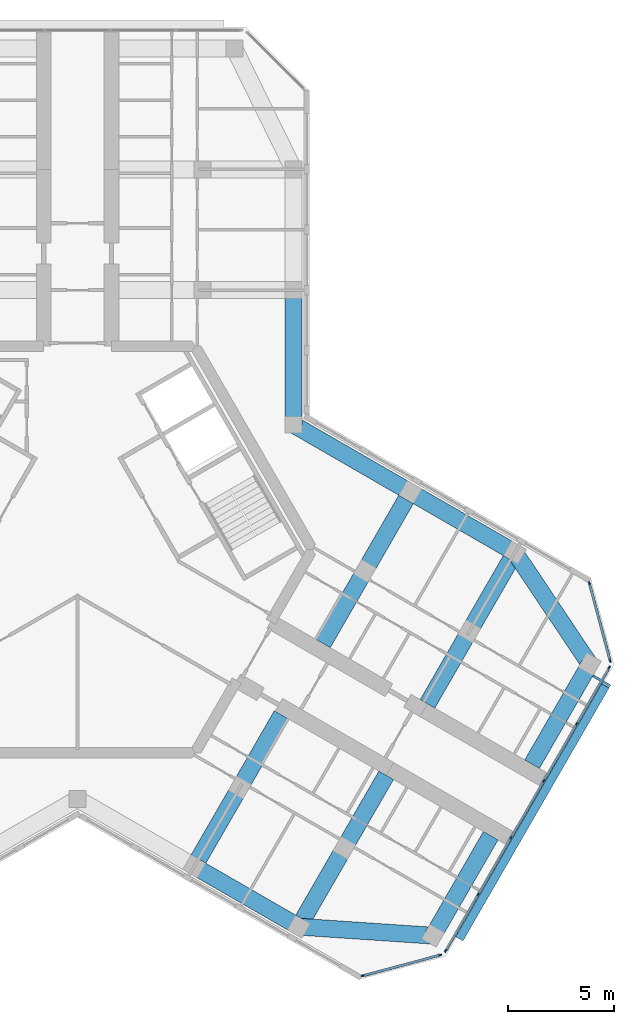
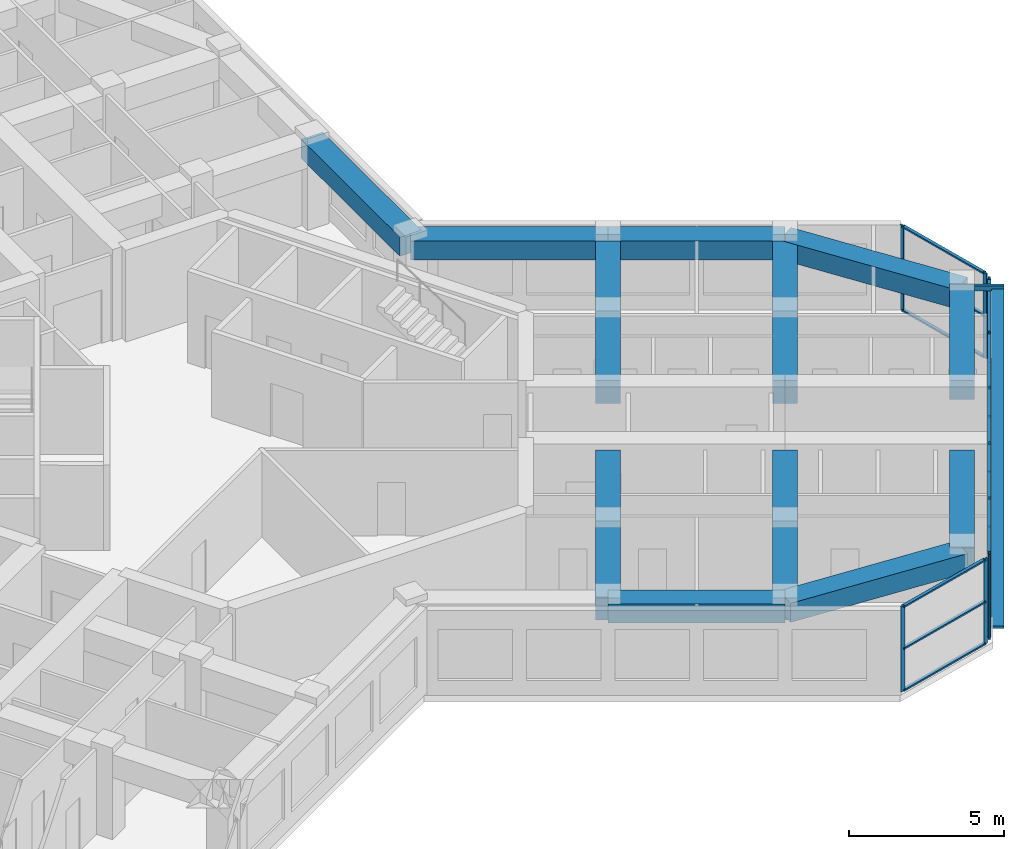
# One storey, part 4 of 14: 28 members, 12 beams, 3 elements without a shape of their own.
"""IFC4 building model written with IfcOpenShell, lengths in metres."""

from ifc_helpers import new_model, si_unit, direction, frame, origin, origin_2d, place, context, subcontext, project, spatial, rectangle, hollow_rectangle, extrude, material, material_profile, profile_set, type_object, element, aggregate, save


model = new_model("IFC4")

# Units and contexts
model_context = context("Model", 3, precision=1e-05, world=origin(), true_north=direction((0.0, 1.0)))
body_context = subcontext(model_context, "Body", "Model", "MODEL_VIEW")
ifc_project = project(units=[si_unit("LENGTHUNIT", "METRE"), si_unit("AREAUNIT", "SQUARE_METRE"), si_unit("VOLUMEUNIT", "CUBIC_METRE"), si_unit("PLANEANGLEUNIT", "RADIAN"), si_unit("MASSUNIT", "GRAM", prefix="KILO")], contexts=[model_context])

# Site, building, storey
site_placement = place(None, origin())
site = spatial("IfcSite", under=ifc_project, at=site_placement, CompositionType="ELEMENT")
building_placement = place(site_placement, origin())
building = spatial("IfcBuilding", under=site, at=building_placement, Name="Kosmar Iwan School Tower", CompositionType="ELEMENT")
storey_placement = place(building_placement, frame((0.0, 0.0, 285.39990234375)))
storey = spatial("IfcBuildingStorey", under=building, at=storey_placement, Name="L72", CompositionType="ELEMENT", Elevation=285.39990234375)

# Members
ifc_material_1 = material(Name="Black anodised aluminium", Category="aluminium")
ifc_material_profile_1 = material_profile(ifc_material_1, rectangle(XDim=0.10009765625, YDim=0.39990234375, at=origin_2d()), Name="FIN 100x400")
ifc_profile_set_1 = profile_set([ifc_material_profile_1], Name="Black anodised aluminium")
member_type_1 = type_object("IfcMemberType", Name="Diagonal fin 100x400", PredefinedType="USERDEFINED", material=ifc_profile_set_1)
member_1_placement = place(storey_placement, frame((18.0283203125, -18.3740234375, -0.14990234375), z_axis=(0.483800388566, 0.837965217343, 0.2524905514), x_axis=(-0.126245460598, -0.218663124976, 0.96759935999)))
element("IfcMember", 1, at=member_1_placement, inside=storey, type_object=member_type_1, Name="Diagonal fin L72-F03", ObjectType="FIN", PredefinedType="USERDEFINED", context=body_context, shape_type="SweptSolid", body=[
    extrude(rectangle(XDim=0.10009765625, YDim=0.39990234375, at=origin_2d()), origin(), (0.0, 0.0, 1.0), 14.25830078125),
])
ifc_material_2 = material(Name="Steel S355", Category="steel")
ifc_material_profile_2 = material_profile(ifc_material_2, hollow_rectangle(XDim=0.10009765625, YDim=0.199951171875, WallThickness=0.008056640625, at=origin_2d()), Name="RHS 200x100x8")
ifc_profile_set_2 = profile_set([ifc_material_profile_2], Name="Steel S355")
member_type_2 = type_object("IfcMemberType", Name="Fin bracket RHS 200x100", PredefinedType="USERDEFINED", material=ifc_profile_set_2)
member_2_placement = place(storey_placement, frame((24.327880859375, -5.962890625, 3.47509765625), z_axis=(0.866100000774, -0.49987077196, 0.0), x_axis=(0.49987077196, 0.866100000774, 0.0)))
element("IfcMember", 2, at=member_2_placement, inside=storey, type_object=member_type_2, Name="Fin bracket L73", ObjectType="FIN BRACKET", PredefinedType="USERDEFINED", context=body_context, shape_type="SweptSolid", body=[
    extrude(hollow_rectangle(XDim=0.10009765625, YDim=0.199951171875, WallThickness=0.008056640625, at=origin_2d()), origin(), (0.0, 0.0, 1.0), 0.949951171875),
])

# Curtain wall, members
ifc_material_3 = material(Name="Dark glass in black aluminium frame", Category="aluminium")
curtain_wall_type_1 = type_object("IfcCurtainWallType", Name="Chamfer curtain wall dark glass", PredefinedType="USERDEFINED", material=ifc_material_3)
curtain_wall_1_placement = place(storey_placement, origin())
curtain_wall_1 = element("IfcCurtainWall", 3, at=curtain_wall_1_placement, inside=storey, type_object=curtain_wall_type_1, Name="Curtain wall L72-F02", ObjectType="FACETED CURTAIN WALL", PredefinedType="USERDEFINED")
ifc_material_4 = material(Name="Black anodised aluminium", Category="aluminium")
ifc_material_profile_3 = material_profile(ifc_material_4, rectangle(XDim=0.06005859375, YDim=0.159912109375, at=origin_2d()), Name="MULLION 60x160")
ifc_profile_set_3 = profile_set([ifc_material_profile_3], Name="Black anodised aluminium")
member_type_3 = type_object("IfcMemberType", Name="Mullion 60x160", PredefinedType="MULLION", material=ifc_profile_set_3)
member_3_placement = place(storey_placement, frame((13.466064453125, -20.127197265625, 0.0), z_axis=(0.0, 0.0, 1.0), x_axis=(-0.258818861462, 0.965925875495, 0.0)))
member_3 = element("IfcMember", 4, at=member_3_placement, type_object=member_type_3, Name="CW2 mullion 1", PredefinedType="MULLION", context=body_context, shape_type="SweptSolid", body=[
    extrude(rectangle(XDim=0.06005859375, YDim=0.159912109375, at=origin_2d()), origin(), (0.0, 0.0, 1.0), 3.35009765625),
])
member_4_placement = place(storey_placement, frame((17.1162109375, -19.149169921875, 0.0), z_axis=(0.0, 0.0, 1.0), x_axis=(-0.258818861462, 0.965925875495, 0.0)))
member_4 = element("IfcMember", 5, at=member_4_placement, type_object=member_type_3, Name="CW2 mullion 2", PredefinedType="MULLION", context=body_context, shape_type="SweptSolid", body=[
    extrude(rectangle(XDim=0.06005859375, YDim=0.159912109375, at=origin_2d()), origin(), (0.0, 0.0, 1.0), 3.35009765625),
])

ifc_material_5 = material(Name="Dark glass in black aluminium frame", Category="aluminium")
curtain_wall_type_2 = type_object("IfcCurtainWallType", Name="Tower curtain wall dark glass", PredefinedType="USERDEFINED", material=ifc_material_5)
curtain_wall_2_placement = place(storey_placement, origin())
curtain_wall_2 = element("IfcCurtainWall", 6, at=curtain_wall_2_placement, inside=storey, type_object=curtain_wall_type_2, Name="Curtain wall L72-F03", ObjectType="UNITISED CURTAIN WALL", PredefinedType="USERDEFINED")
member_5_placement = place(storey_placement, frame((17.380126953125, -18.94677734375, 0.0), z_axis=(0.0, 0.0, 1.0), x_axis=(-0.866025405329, 0.499999997325, 0.0)))
member_5 = element("IfcMember", 7, at=member_5_placement, type_object=member_type_3, Name="CW1 mullion 1", PredefinedType="MULLION", context=body_context, shape_type="SweptSolid", body=[
    extrude(rectangle(XDim=0.06005859375, YDim=0.159912109375, at=origin_2d()), origin(), (0.0, 0.0, 1.0), 3.35009765625),
])
member_6_placement = place(storey_placement, frame((18.914794921875, -16.28857421875, 0.0), z_axis=(0.0, 0.0, 1.0), x_axis=(-0.866025405329, 0.499999997325, 0.0)))
member_6 = element("IfcMember", 8, at=member_6_placement, type_object=member_type_3, Name="CW1 mullion 2", PredefinedType="MULLION", context=body_context, shape_type="SweptSolid", body=[
    extrude(rectangle(XDim=0.06005859375, YDim=0.159912109375, at=origin_2d()), origin(), (0.0, 0.0, 1.0), 3.35009765625),
])
member_7_placement = place(storey_placement, frame((20.46435546875, -13.6044921875, 0.0), z_axis=(0.0, 0.0, 1.0), x_axis=(-0.866025405329, 0.499999997325, 0.0)))
member_7 = element("IfcMember", 9, at=member_7_placement, type_object=member_type_3, Name="CW1 mullion 3", PredefinedType="MULLION", context=body_context, shape_type="SweptSolid", body=[
    extrude(rectangle(XDim=0.06005859375, YDim=0.159912109375, at=origin_2d()), origin(), (0.0, 0.0, 1.0), 3.35009765625),
])
member_8_placement = place(storey_placement, frame((22.01416015625, -10.92041015625, 0.0), z_axis=(0.0, 0.0, 1.0), x_axis=(-0.866025405329, 0.499999997325, 0.0)))
member_8 = element("IfcMember", 10, at=member_8_placement, type_object=member_type_3, Name="CW1 mullion 4", PredefinedType="MULLION", context=body_context, shape_type="SweptSolid", body=[
    extrude(rectangle(XDim=0.06005859375, YDim=0.159912109375, at=origin_2d()), origin(), (0.0, 0.0, 1.0), 3.35009765625),
])
member_9_placement = place(storey_placement, frame((23.563720703125, -8.236328125, 0.0), z_axis=(0.0, 0.0, 1.0), x_axis=(-0.866025405329, 0.499999997325, 0.0)))
member_9 = element("IfcMember", 11, at=member_9_placement, type_object=member_type_3, Name="CW1 mullion 5", PredefinedType="MULLION", context=body_context, shape_type="SweptSolid", body=[
    extrude(rectangle(XDim=0.06005859375, YDim=0.159912109375, at=origin_2d()), origin(), (0.0, 0.0, 1.0), 3.35009765625),
])
member_10_placement = place(storey_placement, frame((25.098388671875, -5.578369140625, 0.0), z_axis=(0.0, 0.0, 1.0), x_axis=(-0.866025405329, 0.499999997325, 0.0)))
member_10 = element("IfcMember", 12, at=member_10_placement, type_object=member_type_3, Name="CW1 mullion 6", PredefinedType="MULLION", context=body_context, shape_type="SweptSolid", body=[
    extrude(rectangle(XDim=0.06005859375, YDim=0.159912109375, at=origin_2d()), origin(), (0.0, 0.0, 1.0), 3.35009765625),
])

curtain_wall_3_placement = place(storey_placement, origin())
curtain_wall_3 = element("IfcCurtainWall", 13, at=curtain_wall_3_placement, inside=storey, type_object=curtain_wall_type_1, Name="Curtain wall L72-F04", ObjectType="FACETED CURTAIN WALL", PredefinedType="USERDEFINED")
member_11_placement = place(storey_placement, frame((25.141845703125, -5.24853515625, 0.0), z_axis=(0.0, 0.0, 1.0), x_axis=(-0.965925875495, -0.258818861462, 0.0)))
member_11 = element("IfcMember", 14, at=member_11_placement, type_object=member_type_3, Name="CW2 mullion 1", PredefinedType="MULLION", context=body_context, shape_type="SweptSolid", body=[
    extrude(rectangle(XDim=0.06005859375, YDim=0.159912109375, at=origin_2d()), origin(), (0.0, 0.0, 1.0), 3.35009765625),
])
member_12_placement = place(storey_placement, frame((24.163818359375, -1.59814453125, 0.0), z_axis=(0.0, 0.0, 1.0), x_axis=(-0.965925875495, -0.258818861462, 0.0)))
member_12 = element("IfcMember", 15, at=member_12_placement, type_object=member_type_3, Name="CW2 mullion 2", PredefinedType="MULLION", context=body_context, shape_type="SweptSolid", body=[
    extrude(rectangle(XDim=0.06005859375, YDim=0.159912109375, at=origin_2d()), origin(), (0.0, 0.0, 1.0), 3.35009765625),
])

# Beams
ifc_material_6 = material(Name="Concrete C50/60", Category="concrete")
ifc_material_profile_4 = material_profile(ifc_material_6, rectangle(XDim=0.800048828125, YDim=0.75, at=origin_2d()), Name="RC 800x750")
ifc_profile_set_4 = profile_set([ifc_material_profile_4], Name="Concrete C50/60")
beam_type_1 = type_object("IfcBeamType", Name="RC edge beam 800x750", PredefinedType="BEAM", material=ifc_profile_set_4)
beam_1_placement = place(storey_placement, frame((10.199951171875, 5.888916015625, 2.97509765625), z_axis=(0.0, 1.0, 0.0), x_axis=(-1.0, 0.0, 0.0)))
element("IfcBeam", 16, at=beam_1_placement, inside=storey, type_object=beam_type_1, Name="Edge beam AR1", PredefinedType="BEAM", context=body_context, shape_type="SweptSolid", body=[
    extrude(rectangle(XDim=0.800048828125, YDim=0.75, at=origin_2d()), origin(), (0.0, 0.0, 1.0), 6.361083984375),
])
beam_2_placement = place(storey_placement, frame((10.199951171875, 5.888916015625, 2.97509765625), z_axis=(0.866030912664, -0.49999045822, 0.0), x_axis=(0.49999045822, 0.866030912664, 0.0)))
element("IfcBeam", 17, at=beam_2_placement, inside=storey, type_object=beam_type_1, Name="Edge beam CL1", PredefinedType="BEAM", context=body_context, shape_type="SweptSolid", body=[
    extrude(rectangle(XDim=0.800048828125, YDim=0.75, at=origin_2d()), origin(), (0.0, 0.0, 1.0), 6.36083984375),
])
beam_3_placement = place(storey_placement, frame((15.708740234375, 2.70849609375, 2.97509765625), z_axis=(0.866025820012, -0.499999279071, 0.0), x_axis=(0.499999279071, 0.866025820012, 0.0)))
element("IfcBeam", 18, at=beam_3_placement, inside=storey, type_object=beam_type_1, Name="Edge beam CL2", PredefinedType="BEAM", context=body_context, shape_type="SweptSolid", body=[
    extrude(rectangle(XDim=0.800048828125, YDim=0.75, at=origin_2d()), origin(), (0.0, 0.0, 1.0), 5.7001953125),
])
beam_4_placement = place(storey_placement, frame((5.5087890625, -14.95849609375, 2.97509765625), z_axis=(0.866033658841, -0.49998570155, 0.0), x_axis=(0.49998570155, 0.866033658841, 0.0)))
element("IfcBeam", 19, at=beam_4_placement, inside=storey, type_object=beam_type_1, Name="Edge beam CR2", PredefinedType="BEAM", context=body_context, shape_type="SweptSolid", body=[
    extrude(rectangle(XDim=0.800048828125, YDim=0.75, at=origin_2d()), origin(), (0.0, 0.0, 1.0), 5.699951171875),
])
ifc_material_7 = material(Name="Concrete C50/60", Category="concrete")
ifc_material_profile_5 = material_profile(ifc_material_7, rectangle(XDim=0.800048828125, YDim=0.75, at=origin_2d()), Name="RC 800x750")
ifc_profile_set_5 = profile_set([ifc_material_profile_5], Name="Concrete C50/60")
beam_type_2 = type_object("IfcBeamType", Name="RC tip beam 800x750", PredefinedType="BEAM", material=ifc_profile_set_5)
beam_5_placement = place(storey_placement, frame((20.645263671875, -0.1416015625, 2.97509765625), z_axis=(0.556827604145, -0.83062808721, 0.0), x_axis=(0.83062808721, 0.556827604145, 0.0)))
element("IfcBeam", 20, at=beam_5_placement, inside=storey, type_object=beam_type_2, Name="Tip beam CL", PredefinedType="BEAM", context=body_context, shape_type="SweptSolid", body=[
    extrude(rectangle(XDim=0.800048828125, YDim=0.75, at=origin_2d()), origin(), (0.0, 0.0, 1.0), 6.3505859375),
])
beam_6_placement = place(storey_placement, frame((24.181396484375, -5.41650390625, 2.97509765625), z_axis=(-0.499988730927, -0.866031909889, 0.0), x_axis=(0.866031909889, -0.499988730927, 0.0)))
element("IfcBeam", 21, at=beam_6_placement, inside=storey, type_object=beam_type_2, Name="Tip beam CL to corridor wall", PredefinedType="BEAM", context=body_context, shape_type="SweptSolid", body=[
    extrude(rectangle(XDim=0.800048828125, YDim=0.75, at=origin_2d()), origin(), (0.0, 0.0, 1.0), 5.449951171875),
])
beam_7_placement = place(storey_placement, frame((10.445068359375, -17.808349609375, 2.97509765625), z_axis=(0.997755118724, -0.066968074933, 0.0), x_axis=(0.066968074933, 0.997755118724, 0.0)))
element("IfcBeam", 22, at=beam_7_placement, inside=storey, type_object=beam_type_2, Name="Tip beam CR", PredefinedType="BEAM", context=body_context, shape_type="SweptSolid", body=[
    extrude(rectangle(XDim=0.800048828125, YDim=0.75, at=origin_2d()), origin(), (0.0, 0.0, 1.0), 6.3505859375),
])
beam_8_placement = place(storey_placement, frame((16.781494140625, -18.233642578125, 2.97509765625), z_axis=(0.500002931134, 0.866023711487, 0.0), x_axis=(-0.866023711487, 0.500002931134, 0.0)))
element("IfcBeam", 23, at=beam_8_placement, inside=storey, type_object=beam_type_2, Name="Tip beam CR to corridor wall", PredefinedType="BEAM", context=body_context, shape_type="SweptSolid", body=[
    extrude(rectangle(XDim=0.800048828125, YDim=0.75, at=origin_2d()), origin(), (0.0, 0.0, 1.0), 5.4501953125),
])
ifc_material_8 = material(Name="Concrete C50/60", Category="concrete")
ifc_material_profile_6 = material_profile(ifc_material_8, rectangle(XDim=0.800048828125, YDim=0.89990234375, at=origin_2d()), Name="RC 800x900")
ifc_profile_set_6 = profile_set([ifc_material_profile_6], Name="Concrete C50/60")
beam_type_3 = type_object("IfcBeamType", Name="RC transverse beam 800x900", PredefinedType="BEAM", material=ifc_profile_set_6)
beam_9_placement = place(storey_placement, frame((15.708740234375, 2.70849609375, 2.900146484375), z_axis=(-0.499996545922, -0.866027397988, 0.0), x_axis=(0.866027397988, -0.499996545922, 0.0)))
element("IfcBeam", 24, at=beam_9_placement, inside=storey, type_object=beam_type_3, Name="Transverse beam CL1", PredefinedType="BEAM", context=body_context, shape_type="SweptSolid", body=[
    extrude(rectangle(XDim=0.800048828125, YDim=0.89990234375, at=origin_2d()), origin(), (0.0, 0.0, 1.0), 8.25),
])
beam_10_placement = place(storey_placement, frame((20.645263671875, -0.1416015625, 2.900146484375), z_axis=(-0.500009360108, -0.866019999656, 0.0), x_axis=(0.866019999656, -0.500009360108, 0.0)))
element("IfcBeam", 25, at=beam_10_placement, inside=storey, type_object=beam_type_3, Name="Transverse beam CL2", PredefinedType="BEAM", context=body_context, shape_type="SweptSolid", body=[
    extrude(rectangle(XDim=0.800048828125, YDim=0.89990234375, at=origin_2d()), origin(), (0.0, 0.0, 1.0), 8.249755859375),
])
beam_11_placement = place(storey_placement, frame((5.5087890625, -14.95849609375, 2.900146484375), z_axis=(0.499996545922, 0.866027397988, 0.0), x_axis=(-0.866027397988, 0.499996545922, 0.0)))
element("IfcBeam", 26, at=beam_11_placement, inside=storey, type_object=beam_type_3, Name="Transverse beam CR1", PredefinedType="BEAM", context=body_context, shape_type="SweptSolid", body=[
    extrude(rectangle(XDim=0.800048828125, YDim=0.89990234375, at=origin_2d()), origin(), (0.0, 0.0, 1.0), 8.25),
])
beam_12_placement = place(storey_placement, frame((10.445068359375, -17.808349609375, 2.900146484375), z_axis=(0.500009360108, 0.866019999656, 0.0), x_axis=(-0.866019999656, 0.500009360108, 0.0)))
element("IfcBeam", 27, at=beam_12_placement, inside=storey, type_object=beam_type_3, Name="Transverse beam CR2", PredefinedType="BEAM", context=body_context, shape_type="SweptSolid", body=[
    extrude(rectangle(XDim=0.800048828125, YDim=0.89990234375, at=origin_2d()), origin(), (0.0, 0.0, 1.0), 8.249755859375),
])

# Member
ifc_material_9 = material(Name="Black anodised aluminium", Category="aluminium")
ifc_material_profile_7 = material_profile(ifc_material_9, rectangle(XDim=0.1201171875, YDim=0.06005859375, at=origin_2d()), Name="TRANSOM 60x120")
ifc_profile_set_7 = profile_set([ifc_material_profile_7], Name="Black anodised aluminium")
member_type_4 = type_object("IfcMemberType", Name="Transom 60x120", PredefinedType="USERDEFINED", material=ifc_profile_set_7)
member_13_placement = place(storey_placement, frame((13.494873046875, -20.119384765625, 0.030029296875), z_axis=(0.965940141052, 0.258765615768, 0.0), x_axis=(-0.258765615768, 0.965940141052, 0.0)))
member_13 = element("IfcMember", 28, at=member_13_placement, type_object=member_type_4, Name="CW2 transom 1.1", ObjectType="TRANSOM", PredefinedType="USERDEFINED", context=body_context, shape_type="SweptSolid", body=[
    extrude(rectangle(XDim=0.1201171875, YDim=0.06005859375, at=origin_2d()), origin(), (0.0, 0.0, 1.0), 3.71923828125),
])

member_14_placement = place(storey_placement, frame((13.494873046875, -20.119384765625, 1.675048828125), z_axis=(0.965940141052, 0.258765615768, 0.0), x_axis=(-0.258765615768, 0.965940141052, 0.0)))
member_14 = element("IfcMember", 29, at=member_14_placement, type_object=member_type_4, Name="CW2 transom 1.2", ObjectType="TRANSOM", PredefinedType="USERDEFINED", context=body_context, shape_type="SweptSolid", body=[
    extrude(rectangle(XDim=0.1201171875, YDim=0.06005859375, at=origin_2d()), origin(), (0.0, 0.0, 1.0), 3.71923828125),
])

member_15_placement = place(storey_placement, frame((13.494873046875, -20.119384765625, 3.320068359375), z_axis=(0.965940141052, 0.258765615768, 0.0), x_axis=(-0.258765615768, 0.965940141052, 0.0)))
member_15 = element("IfcMember", 30, at=member_15_placement, type_object=member_type_4, Name="CW2 transom 1.3", ObjectType="TRANSOM", PredefinedType="USERDEFINED", context=body_context, shape_type="SweptSolid", body=[
    extrude(rectangle(XDim=0.1201171875, YDim=0.06005859375, at=origin_2d()), origin(), (0.0, 0.0, 1.0), 3.71923828125),
])

aggregate(curtain_wall_1, [member_3, member_4, member_13, member_14, member_15])

member_16_placement = place(storey_placement, frame((17.395263671875, -18.920654296875, 0.030029296875), z_axis=(0.500022102064, 0.866012642776, 0.0), x_axis=(-0.866012642776, 0.500022102064, 0.0)))
member_16 = element("IfcMember", 31, at=member_16_placement, type_object=member_type_4, Name="CW1 transom 1.1", ObjectType="TRANSOM", PredefinedType="USERDEFINED", context=body_context, shape_type="SweptSolid", body=[
    extrude(rectangle(XDim=0.1201171875, YDim=0.06005859375, at=origin_2d()), origin(), (0.0, 0.0, 1.0), 3.009033203125),
])

member_17_placement = place(storey_placement, frame((17.395263671875, -18.920654296875, 3.320068359375), z_axis=(0.500022102064, 0.866012642776, 0.0), x_axis=(-0.866012642776, 0.500022102064, 0.0)))
member_17 = element("IfcMember", 32, at=member_17_placement, type_object=member_type_4, Name="CW1 transom 1.2", ObjectType="TRANSOM", PredefinedType="USERDEFINED", context=body_context, shape_type="SweptSolid", body=[
    extrude(rectangle(XDim=0.1201171875, YDim=0.06005859375, at=origin_2d()), origin(), (0.0, 0.0, 1.0), 3.009033203125),
])

member_18_placement = place(storey_placement, frame((18.9296875, -16.2626953125, 0.030029296875), z_axis=(0.500035348339, 0.866004994449, 0.0), x_axis=(-0.866004994449, 0.500035348339, 0.0)))
member_18 = element("IfcMember", 33, at=member_18_placement, type_object=member_type_4, Name="CW1 transom 2.1", ObjectType="TRANSOM", PredefinedType="USERDEFINED", context=body_context, shape_type="SweptSolid", body=[
    extrude(rectangle(XDim=0.1201171875, YDim=0.06005859375, at=origin_2d()), origin(), (0.0, 0.0, 1.0), 3.039306640625),
])

member_19_placement = place(storey_placement, frame((18.9296875, -16.2626953125, 3.320068359375), z_axis=(0.500035348339, 0.866004994449, 0.0), x_axis=(-0.866004994449, 0.500035348339, 0.0)))
member_19 = element("IfcMember", 34, at=member_19_placement, type_object=member_type_4, Name="CW1 transom 2.2", ObjectType="TRANSOM", PredefinedType="USERDEFINED", context=body_context, shape_type="SweptSolid", body=[
    extrude(rectangle(XDim=0.1201171875, YDim=0.06005859375, at=origin_2d()), origin(), (0.0, 0.0, 1.0), 3.039306640625),
])

member_20_placement = place(storey_placement, frame((20.4794921875, -13.57861328125, 0.030029296875), z_axis=(0.499975102327, 0.866039777986, 0.0), x_axis=(-0.866039777986, 0.499975102327, 0.0)))
member_20 = element("IfcMember", 35, at=member_20_placement, type_object=member_type_4, Name="CW1 transom 3.1", ObjectType="TRANSOM", PredefinedType="USERDEFINED", context=body_context, shape_type="SweptSolid", body=[
    extrude(rectangle(XDim=0.1201171875, YDim=0.06005859375, at=origin_2d()), origin(), (0.0, 0.0, 1.0), 3.039306640625),
])

member_21_placement = place(storey_placement, frame((20.4794921875, -13.57861328125, 3.320068359375), z_axis=(0.499975102327, 0.866039777986, 0.0), x_axis=(-0.866039777986, 0.499975102327, 0.0)))
member_21 = element("IfcMember", 36, at=member_21_placement, type_object=member_type_4, Name="CW1 transom 3.2", ObjectType="TRANSOM", PredefinedType="USERDEFINED", context=body_context, shape_type="SweptSolid", body=[
    extrude(rectangle(XDim=0.1201171875, YDim=0.06005859375, at=origin_2d()), origin(), (0.0, 0.0, 1.0), 3.039306640625),
])

member_22_placement = place(storey_placement, frame((22.029052734375, -10.89453125, 0.030029296875), z_axis=(0.500035348339, 0.866004994449, 0.0), x_axis=(-0.866004994449, 0.500035348339, 0.0)))
member_22 = element("IfcMember", 37, at=member_22_placement, type_object=member_type_4, Name="CW1 transom 4.1", ObjectType="TRANSOM", PredefinedType="USERDEFINED", context=body_context, shape_type="SweptSolid", body=[
    extrude(rectangle(XDim=0.1201171875, YDim=0.06005859375, at=origin_2d()), origin(), (0.0, 0.0, 1.0), 3.039306640625),
])

member_23_placement = place(storey_placement, frame((22.029052734375, -10.89453125, 3.320068359375), z_axis=(0.500035348339, 0.866004994449, 0.0), x_axis=(-0.866004994449, 0.500035348339, 0.0)))
member_23 = element("IfcMember", 38, at=member_23_placement, type_object=member_type_4, Name="CW1 transom 4.2", ObjectType="TRANSOM", PredefinedType="USERDEFINED", context=body_context, shape_type="SweptSolid", body=[
    extrude(rectangle(XDim=0.1201171875, YDim=0.06005859375, at=origin_2d()), origin(), (0.0, 0.0, 1.0), 3.039306640625),
])

member_24_placement = place(storey_placement, frame((23.578857421875, -8.21044921875, 0.030029296875), z_axis=(0.499986971506, 0.866032925658, 0.0), x_axis=(-0.866032925658, 0.499986971506, 0.0)))
member_24 = element("IfcMember", 39, at=member_24_placement, type_object=member_type_4, Name="CW1 transom 5.1", ObjectType="TRANSOM", PredefinedType="USERDEFINED", context=body_context, shape_type="SweptSolid", body=[
    extrude(rectangle(XDim=0.1201171875, YDim=0.06005859375, at=origin_2d()), origin(), (0.0, 0.0, 1.0), 3.00927734375),
])

member_25_placement = place(storey_placement, frame((23.578857421875, -8.21044921875, 3.320068359375), z_axis=(0.499986971506, 0.866032925658, 0.0), x_axis=(-0.866032925658, 0.499986971506, 0.0)))
member_25 = element("IfcMember", 40, at=member_25_placement, type_object=member_type_4, Name="CW1 transom 5.2", ObjectType="TRANSOM", PredefinedType="USERDEFINED", context=body_context, shape_type="SweptSolid", body=[
    extrude(rectangle(XDim=0.1201171875, YDim=0.06005859375, at=origin_2d()), origin(), (0.0, 0.0, 1.0), 3.00927734375),
])

aggregate(curtain_wall_2, [member_5, member_6, member_7, member_8, member_9, member_10, member_16, member_17, member_18, member_19, member_20, member_21, member_22, member_23, member_24, member_25])

member_26_placement = place(storey_placement, frame((25.134033203125, -5.219482421875, 0.030029296875), z_axis=(-0.258843273983, 0.965919333854, 0.0), x_axis=(-0.965919333854, -0.258843273983, 0.0)))
member_26 = element("IfcMember", 41, at=member_26_placement, type_object=member_type_4, Name="CW2 transom 1.1", ObjectType="TRANSOM", PredefinedType="USERDEFINED", context=body_context, shape_type="SweptSolid", body=[
    extrude(rectangle(XDim=0.1201171875, YDim=0.06005859375, at=origin_2d()), origin(), (0.0, 0.0, 1.0), 3.718994140625),
])

member_27_placement = place(storey_placement, frame((25.134033203125, -5.219482421875, 1.675048828125), z_axis=(-0.258843273983, 0.965919333854, 0.0), x_axis=(-0.965919333854, -0.258843273983, 0.0)))
member_27 = element("IfcMember", 42, at=member_27_placement, type_object=member_type_4, Name="CW2 transom 1.2", ObjectType="TRANSOM", PredefinedType="USERDEFINED", context=body_context, shape_type="SweptSolid", body=[
    extrude(rectangle(XDim=0.1201171875, YDim=0.06005859375, at=origin_2d()), origin(), (0.0, 0.0, 1.0), 3.718994140625),
])

member_28_placement = place(storey_placement, frame((25.134033203125, -5.219482421875, 3.320068359375), z_axis=(-0.258843273983, 0.965919333854, 0.0), x_axis=(-0.965919333854, -0.258843273983, 0.0)))
member_28 = element("IfcMember", 43, at=member_28_placement, type_object=member_type_4, Name="CW2 transom 1.3", ObjectType="TRANSOM", PredefinedType="USERDEFINED", context=body_context, shape_type="SweptSolid", body=[
    extrude(rectangle(XDim=0.1201171875, YDim=0.06005859375, at=origin_2d()), origin(), (0.0, 0.0, 1.0), 3.718994140625),
])

aggregate(curtain_wall_3, [member_11, member_12, member_26, member_27, member_28])

save(model, "model.ifc")
